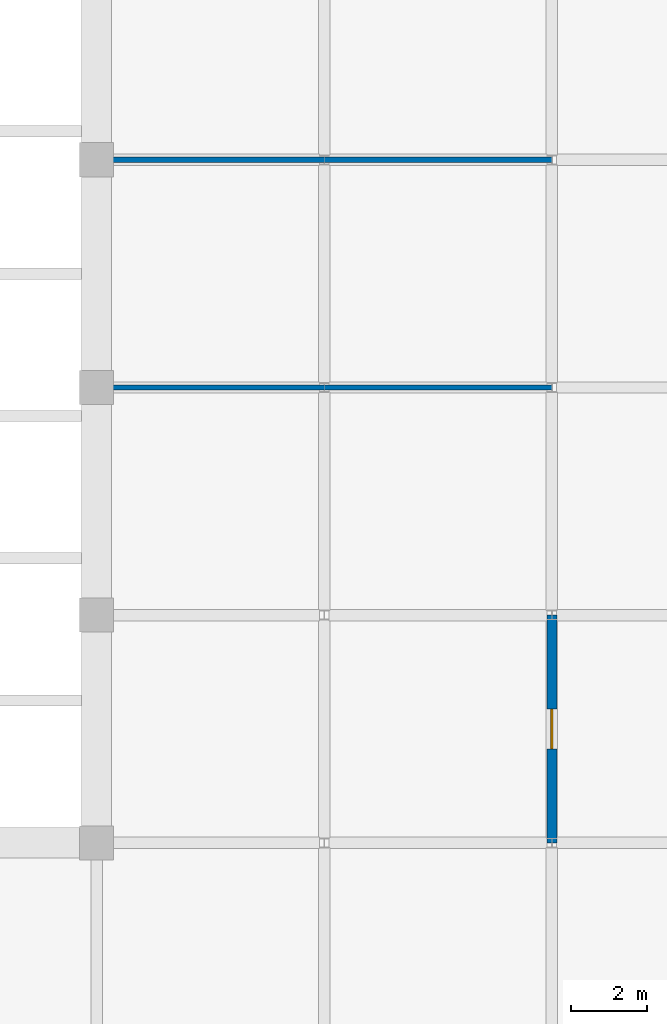
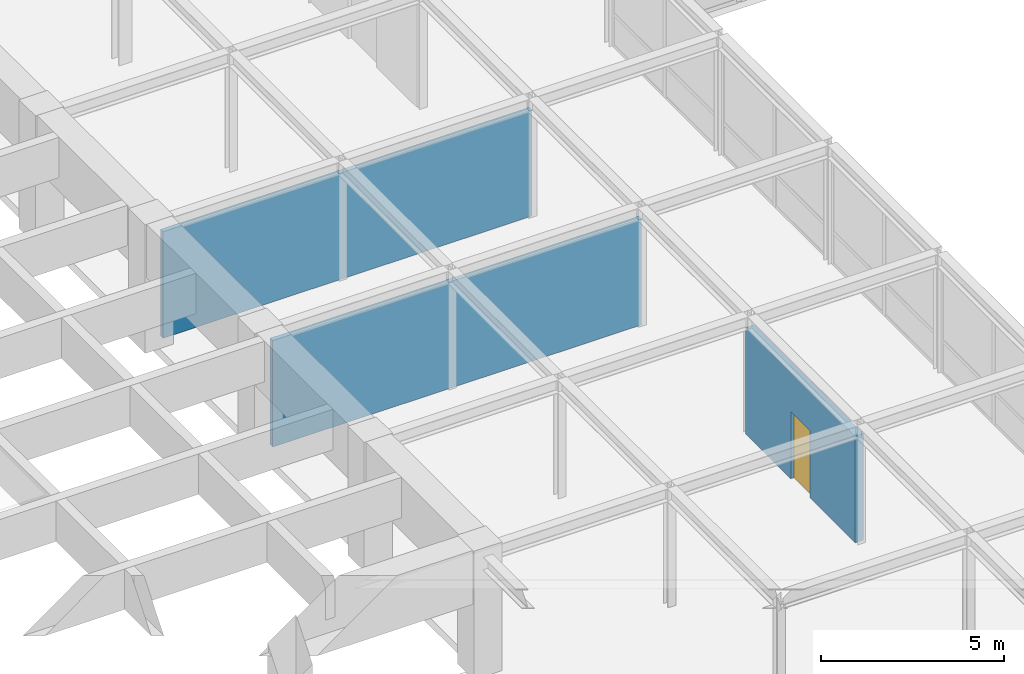
# One storey, part 103 of 111: 3 walls, 1 door, 1 opening.
"""IFC4 building model written with IfcOpenShell, lengths in metres."""

from ifc_helpers import new_model, si_unit, direction, frame, frame_2d, origin, place, context, subcontext, project, spatial, rectangle, extrude, material, layer, layer_set, type_object, element, fill, save


model = new_model("IFC4")

# Units and contexts
model_context = context("Model", 3, precision=1e-05, world=origin(), true_north=direction((0.0, 1.0)))
body_context = subcontext(model_context, "Body", "Model", "MODEL_VIEW")
ifc_project = project(units=[si_unit("LENGTHUNIT", "METRE"), si_unit("AREAUNIT", "SQUARE_METRE"), si_unit("VOLUMEUNIT", "CUBIC_METRE"), si_unit("PLANEANGLEUNIT", "RADIAN"), si_unit("MASSUNIT", "GRAM", prefix="KILO")], contexts=[model_context])

# Site, building, storey
site_placement = place(None, origin())
site = spatial("IfcSite", under=ifc_project, at=site_placement, CompositionType="ELEMENT")
building_placement = place(site_placement, origin())
building = spatial("IfcBuilding", under=site, at=building_placement, Name="Zlatovratsky Civic Hall", CompositionType="ELEMENT")
storey_placement = place(building_placement, frame((0.0, 0.0, 16.5)))
storey = spatial("IfcBuildingStorey", under=building, at=storey_placement, Name="L04", CompositionType="ELEMENT", Elevation=16.5)

# Wall, opening, door
ifc_material_1 = material(Name="Acoustic ceramic blockwork", Category="masonry")
ifc_layer_1 = layer(ifc_material_1, 0.260009765625)
ifc_layer_set_1 = layer_set([ifc_layer_1], Name="Acoustic ceramic blockwork")
wall_type_1 = type_object("IfcWallType", Name="Wall_ArchiveCompartment_260", PredefinedType="PARTITIONING", material=ifc_layer_set_1)
wall_placement = place(storey_placement, frame((114.0, 42.0, 0.0), z_axis=(0.0, 0.0, 1.0), x_axis=(0.0, 1.0, 0.0)))
wall = element("IfcWall", 1, at=wall_placement, inside=storey, type_object=wall_type_1, Name="WL-6236", PredefinedType="PARTITIONING", context=body_context, shape_type="SweptSolid", body=[
    extrude(rectangle(XDim=6.0, YDim=0.260009765625, at=frame_2d((3.0, 0.0))), origin(), (0.0, 0.0, 1.0), 3.56005859375),
])
opening_placement = place(wall_placement, frame((2.47509765625, 0.0, 0.0)))
opening = element("IfcOpeningElement", 2, at=opening_placement, cuts=wall, Name="Opening D-24", PredefinedType="OPENING", context=body_context, shape_type="SweptSolid", body=[
    extrude(rectangle(XDim=1.050048828125, YDim=2.25, at=frame_2d((0.52490234375, 1.125))), frame((0.0, 0.14501953125, 0.0), z_axis=(0.0, -1.0, 0.0), x_axis=(1.0, 0.0, 0.0)), (0.0, 0.0, 1.0), 0.289794921875),
])
ifc_material_2 = material(Name="Solid oak joinery in steel frame", Category="steel")
door_type = type_object("IfcDoorType", Name="Door_DirectorateOffice_1050x2250", OperationType="NOTDEFINED", PredefinedType="DOOR", material=ifc_material_2)
door_placement = place(opening_placement, origin())
door = element("IfcDoor", 3, at=door_placement, inside=storey, type_object=door_type, Name="DR-5337", OperationType="SINGLE_SWING_LEFT", OverallHeight=2.25, OverallWidth=1.050048828125, PredefinedType="DOOR", context=body_context, shape_type="SweptSolid", body=[
    extrude(rectangle(XDim=1.050048828125, YDim=2.25, at=frame_2d((0.52490234375, 1.125))), frame((0.0, 0.02490234375, 0.0), z_axis=(0.0, -1.0, 0.0), x_axis=(1.0, 0.0, 0.0)), (0.0, 0.0, 1.0), 0.050048828125),
])
fill(opening, door)

# Walls
ifc_material_3 = material(Name="Fire-rated gypsum board framing", Category="gypsum")
ifc_layer_2 = layer(ifc_material_3, 0.139892578125)
ifc_layer_set_2 = layer_set([ifc_layer_2], Name="Fire-rated gypsum board framing")
wall_type_2 = type_object("IfcWallType", Name="Wall_OfficePartition_140", PredefinedType="PARTITIONING", material=ifc_layer_set_2)
for number, where, z_axis, x_axis, name in (
    (4, (102.340087890625, 54.0, 0.0), (0.0, 0.0, 1.0), (1.0, 0.0, 0.0), "WL-6246"),
    (5, (102.340087890625, 60.0, 0.0), (0.0, 0.0, 1.0), (1.0, 0.0, 0.0), "WL-6247"),
):
    element("IfcWall", number, at=place(storey_placement, frame(where, z_axis=z_axis, x_axis=x_axis)), inside=storey, type_object=wall_type_2, Name=name, PredefinedType="PARTITIONING", context=body_context, shape_type="SweptSolid", body=[
        extrude(rectangle(XDim=11.659912109375, YDim=0.139892578125, at=frame_2d((5.830078125, 0.0))), origin(), (0.0, 0.0, 1.0), 3.56005859375),
    ])

save(model, "model.ifc")
